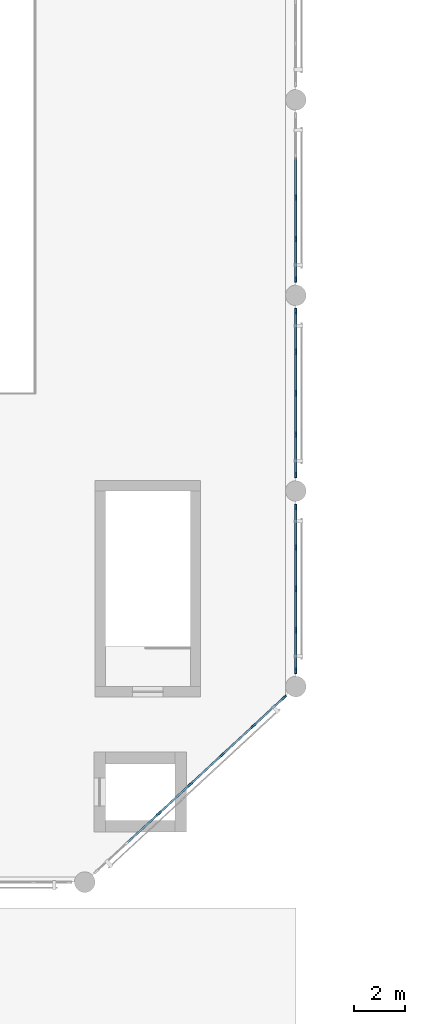
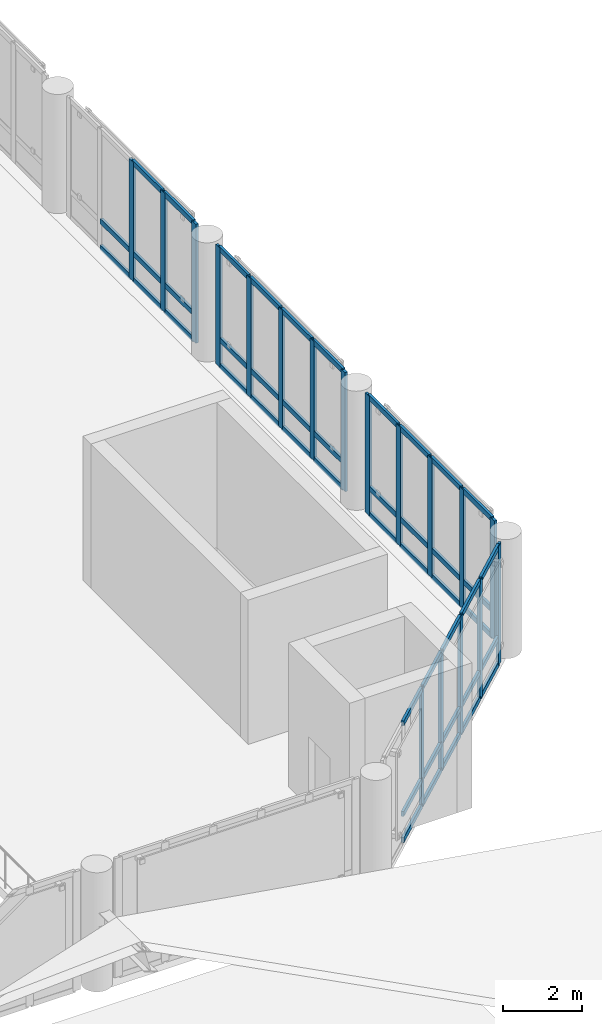
# One storey, part 7 of 49: 65 members, 4 elements without a shape of their own.
"""IFC4 building model written with IfcOpenShell, lengths in metres."""

from ifc_helpers import new_model, si_unit, direction, frame, origin, origin_2d, place, context, subcontext, project, spatial, rectangle, extrude, material, material_profile, profile_set, type_object, element, aggregate, save


model = new_model("IFC4")

# Units and contexts
model_context = context("Model", 3, precision=1e-05, world=origin(), true_north=direction((0.0, 1.0)))
body_context = subcontext(model_context, "Body", "Model", "MODEL_VIEW")
ifc_project = project(units=[si_unit("LENGTHUNIT", "METRE"), si_unit("AREAUNIT", "SQUARE_METRE"), si_unit("VOLUMEUNIT", "CUBIC_METRE"), si_unit("PLANEANGLEUNIT", "RADIAN"), si_unit("MASSUNIT", "GRAM", prefix="KILO")], contexts=[model_context])

# Site, building, storey
site_placement = place(None, origin())
site = spatial("IfcSite", under=ifc_project, at=site_placement, CompositionType="ELEMENT")
building_placement = place(site_placement, origin())
building = spatial("IfcBuilding", under=site, at=building_placement, Name="Qandaris Square Conservatory and Botanical Centre", CompositionType="ELEMENT")
storey_placement = place(building_placement, frame((0.0, 0.0, 10.199951171875)))
storey = spatial("IfcBuildingStorey", under=building, at=storey_placement, Name="L02", CompositionType="ELEMENT", Elevation=10.199951171875)

# Curtain wall, members
ifc_material = material(Name="Anodised Aluminium", Category="aluminium")
curtain_wall_type_1 = type_object("IfcCurtainWallType", Name="Unitised Curtain Wall CW-2-1002x370", PredefinedType="USERDEFINED", material=ifc_material)
curtain_wall_1_placement = place(storey_placement, origin())
curtain_wall_1 = element("IfcCurtainWall", 1, at=curtain_wall_1_placement, inside=storey, type_object=curtain_wall_type_1, Name="Curtain Wall CW-CON-L02-2-1", ObjectType="GLAZED CURTAIN WALL", PredefinedType="USERDEFINED")
ifc_material_profile_1 = material_profile(ifc_material, rectangle(XDim=0.074951171875, YDim=0.219970703125, at=origin_2d()), Name="ALU-MUL 75x220")
ifc_profile_set_1 = profile_set([ifc_material_profile_1], Name="Anodised Aluminium")
member_type_1 = type_object("IfcMemberType", Name="Conservatory Heavy Mullion 75x220", PredefinedType="MULLION", material=ifc_profile_set_1)
member_1_placement = place(storey_placement, frame((51.875244140625, 49.664794921875, 0.0), z_axis=(0.0, 0.0, 1.0), x_axis=(-0.679761784592, 0.733432966404, 0.0)))
member_1 = element("IfcMember", 2, at=member_1_placement, type_object=member_type_1, Name="CW-2-1002x370 mullion 3", PredefinedType="MULLION", context=body_context, shape_type="SweptSolid", body=[
    extrude(rectangle(XDim=0.074951171875, YDim=0.219970703125, at=origin_2d()), origin(), (0.0, 0.0, 1.0), 3.699951171875),
])
member_2_placement = place(storey_placement, frame((53.10009765625, 50.800048828125, 0.0), z_axis=(0.0, 0.0, 1.0), x_axis=(-0.679761784592, 0.733432966404, 0.0)))
member_2 = element("IfcMember", 3, at=member_2_placement, type_object=member_type_1, Name="CW-2-1002x370 mullion 4", PredefinedType="MULLION", context=body_context, shape_type="SweptSolid", body=[
    extrude(rectangle(XDim=0.074951171875, YDim=0.219970703125, at=origin_2d()), origin(), (0.0, 0.0, 1.0), 3.699951171875),
])
member_3_placement = place(storey_placement, frame((54.324951171875, 51.935302734375, 0.0), z_axis=(0.0, 0.0, 1.0), x_axis=(-0.679761784592, 0.733432966404, 0.0)))
member_3 = element("IfcMember", 4, at=member_3_placement, type_object=member_type_1, Name="CW-2-1002x370 mullion 5", PredefinedType="MULLION", context=body_context, shape_type="SweptSolid", body=[
    extrude(rectangle(XDim=0.074951171875, YDim=0.219970703125, at=origin_2d()), origin(), (0.0, 0.0, 1.0), 3.699951171875),
])
member_4_placement = place(storey_placement, frame((55.5498046875, 53.070556640625, 0.0), z_axis=(0.0, 0.0, 1.0), x_axis=(-0.679761784592, 0.733432966404, 0.0)))
member_4 = element("IfcMember", 5, at=member_4_placement, type_object=member_type_1, Name="CW-2-1002x370 mullion 6", PredefinedType="MULLION", context=body_context, shape_type="SweptSolid", body=[
    extrude(rectangle(XDim=0.074951171875, YDim=0.219970703125, at=origin_2d()), origin(), (0.0, 0.0, 1.0), 3.699951171875),
])
member_5_placement = place(storey_placement, frame((56.7470703125, 54.18017578125, 0.0), z_axis=(0.0, 0.0, 1.0), x_axis=(-0.679761784592, 0.733432966404, 0.0)))
member_5 = element("IfcMember", 6, at=member_5_placement, type_object=member_type_1, Name="CW-2-1002x370 mullion 7", PredefinedType="MULLION", context=body_context, shape_type="SweptSolid", body=[
    extrude(rectangle(XDim=0.074951171875, YDim=0.219970703125, at=origin_2d()), origin(), (0.0, 0.0, 1.0), 3.699951171875),
])

curtain_wall_type_2 = type_object("IfcCurtainWallType", Name="Unitised Curtain Wall CW-2-644x370", PredefinedType="USERDEFINED", material=ifc_material)
curtain_wall_2_placement = place(storey_placement, origin())
curtain_wall_2 = element("IfcCurtainWall", 7, at=curtain_wall_2_placement, inside=storey, type_object=curtain_wall_type_2, Name="Curtain Wall CW-CON-L02-3-1", ObjectType="GLAZED CURTAIN WALL", PredefinedType="USERDEFINED")
member_6_placement = place(storey_placement, frame((57.199951171875, 55.217529296875, 0.0), z_axis=(0.0, 0.0, 1.0), x_axis=(-1.0, 0.0, 0.0)))
member_6 = element("IfcMember", 8, at=member_6_placement, type_object=member_type_1, Name="CW-2-644x370 mullion 1", PredefinedType="MULLION", context=body_context, shape_type="SweptSolid", body=[
    extrude(rectangle(XDim=0.074951171875, YDim=0.219970703125, at=origin_2d()), origin(), (0.0, 0.0, 1.0), 3.699951171875),
])
member_7_placement = place(storey_placement, frame((57.199951171875, 56.7900390625, 0.0), z_axis=(0.0, 0.0, 1.0), x_axis=(-1.0, 0.0, 0.0)))
member_7 = element("IfcMember", 9, at=member_7_placement, type_object=member_type_1, Name="CW-2-644x370 mullion 2", PredefinedType="MULLION", context=body_context, shape_type="SweptSolid", body=[
    extrude(rectangle(XDim=0.074951171875, YDim=0.219970703125, at=origin_2d()), origin(), (0.0, 0.0, 1.0), 3.699951171875),
])
member_8_placement = place(storey_placement, frame((57.199951171875, 58.39990234375, 0.0), z_axis=(0.0, 0.0, 1.0), x_axis=(-1.0, 0.0, 0.0)))
member_8 = element("IfcMember", 10, at=member_8_placement, type_object=member_type_1, Name="CW-2-644x370 mullion 3", PredefinedType="MULLION", context=body_context, shape_type="SweptSolid", body=[
    extrude(rectangle(XDim=0.074951171875, YDim=0.219970703125, at=origin_2d()), origin(), (0.0, 0.0, 1.0), 3.699951171875),
])
member_9_placement = place(storey_placement, frame((57.199951171875, 60.010009765625, 0.0), z_axis=(0.0, 0.0, 1.0), x_axis=(-1.0, 0.0, 0.0)))
member_9 = element("IfcMember", 11, at=member_9_placement, type_object=member_type_1, Name="CW-2-644x370 mullion 4", PredefinedType="MULLION", context=body_context, shape_type="SweptSolid", body=[
    extrude(rectangle(XDim=0.074951171875, YDim=0.219970703125, at=origin_2d()), origin(), (0.0, 0.0, 1.0), 3.699951171875),
])
member_10_placement = place(storey_placement, frame((57.199951171875, 61.58251953125, 0.0), z_axis=(0.0, 0.0, 1.0), x_axis=(-1.0, 0.0, 0.0)))
member_10 = element("IfcMember", 12, at=member_10_placement, type_object=member_type_1, Name="CW-2-644x370 mullion 5", PredefinedType="MULLION", context=body_context, shape_type="SweptSolid", body=[
    extrude(rectangle(XDim=0.074951171875, YDim=0.219970703125, at=origin_2d()), origin(), (0.0, 0.0, 1.0), 3.699951171875),
])

curtain_wall_3_placement = place(storey_placement, origin())
curtain_wall_3 = element("IfcCurtainWall", 13, at=curtain_wall_3_placement, inside=storey, type_object=curtain_wall_type_2, Name="Curtain Wall CW-CON-L02-3-2", ObjectType="GLAZED CURTAIN WALL", PredefinedType="USERDEFINED")
member_11_placement = place(storey_placement, frame((57.199951171875, 62.8173828125, 0.0), z_axis=(0.0, 0.0, 1.0), x_axis=(-1.0, 0.0, 0.0)))
member_11 = element("IfcMember", 14, at=member_11_placement, type_object=member_type_1, Name="CW-2-644x370 mullion 1", PredefinedType="MULLION", context=body_context, shape_type="SweptSolid", body=[
    extrude(rectangle(XDim=0.074951171875, YDim=0.219970703125, at=origin_2d()), origin(), (0.0, 0.0, 1.0), 3.699951171875),
])
member_12_placement = place(storey_placement, frame((57.199951171875, 64.389892578125, 0.0), z_axis=(0.0, 0.0, 1.0), x_axis=(-1.0, 0.0, 0.0)))
member_12 = element("IfcMember", 15, at=member_12_placement, type_object=member_type_1, Name="CW-2-644x370 mullion 2", PredefinedType="MULLION", context=body_context, shape_type="SweptSolid", body=[
    extrude(rectangle(XDim=0.074951171875, YDim=0.219970703125, at=origin_2d()), origin(), (0.0, 0.0, 1.0), 3.699951171875),
])
member_13_placement = place(storey_placement, frame((57.199951171875, 66.0, 0.0), z_axis=(0.0, 0.0, 1.0), x_axis=(-1.0, 0.0, 0.0)))
member_13 = element("IfcMember", 16, at=member_13_placement, type_object=member_type_1, Name="CW-2-644x370 mullion 3", PredefinedType="MULLION", context=body_context, shape_type="SweptSolid", body=[
    extrude(rectangle(XDim=0.074951171875, YDim=0.219970703125, at=origin_2d()), origin(), (0.0, 0.0, 1.0), 3.699951171875),
])
member_14_placement = place(storey_placement, frame((57.199951171875, 67.610107421875, 0.0), z_axis=(0.0, 0.0, 1.0), x_axis=(-1.0, 0.0, 0.0)))
member_14 = element("IfcMember", 17, at=member_14_placement, type_object=member_type_1, Name="CW-2-644x370 mullion 4", PredefinedType="MULLION", context=body_context, shape_type="SweptSolid", body=[
    extrude(rectangle(XDim=0.074951171875, YDim=0.219970703125, at=origin_2d()), origin(), (0.0, 0.0, 1.0), 3.699951171875),
])
member_15_placement = place(storey_placement, frame((57.199951171875, 69.1826171875, 0.0), z_axis=(0.0, 0.0, 1.0), x_axis=(-1.0, 0.0, 0.0)))
member_15 = element("IfcMember", 18, at=member_15_placement, type_object=member_type_1, Name="CW-2-644x370 mullion 5", PredefinedType="MULLION", context=body_context, shape_type="SweptSolid", body=[
    extrude(rectangle(XDim=0.074951171875, YDim=0.219970703125, at=origin_2d()), origin(), (0.0, 0.0, 1.0), 3.699951171875),
])

curtain_wall_4_placement = place(storey_placement, origin())
curtain_wall_4 = element("IfcCurtainWall", 19, at=curtain_wall_4_placement, inside=storey, type_object=curtain_wall_type_2, Name="Curtain Wall CW-CON-L02-3-3", ObjectType="GLAZED CURTAIN WALL", PredefinedType="USERDEFINED")
member_16_placement = place(storey_placement, frame((57.199951171875, 70.41748046875, 0.0), z_axis=(0.0, 0.0, 1.0), x_axis=(-1.0, 0.0, 0.0)))
member_16 = element("IfcMember", 20, at=member_16_placement, type_object=member_type_1, Name="CW-2-644x370 mullion 1", PredefinedType="MULLION", context=body_context, shape_type="SweptSolid", body=[
    extrude(rectangle(XDim=0.074951171875, YDim=0.219970703125, at=origin_2d()), origin(), (0.0, 0.0, 1.0), 3.699951171875),
])
member_17_placement = place(storey_placement, frame((57.199951171875, 71.989990234375, 0.0), z_axis=(0.0, 0.0, 1.0), x_axis=(-1.0, 0.0, 0.0)))
member_17 = element("IfcMember", 21, at=member_17_placement, type_object=member_type_1, Name="CW-2-644x370 mullion 2", PredefinedType="MULLION", context=body_context, shape_type="SweptSolid", body=[
    extrude(rectangle(XDim=0.074951171875, YDim=0.219970703125, at=origin_2d()), origin(), (0.0, 0.0, 1.0), 3.699951171875),
])
member_18_placement = place(storey_placement, frame((57.199951171875, 73.60009765625, 0.0), z_axis=(0.0, 0.0, 1.0), x_axis=(-1.0, 0.0, 0.0)))
member_18 = element("IfcMember", 22, at=member_18_placement, type_object=member_type_1, Name="CW-2-644x370 mullion 3", PredefinedType="MULLION", context=body_context, shape_type="SweptSolid", body=[
    extrude(rectangle(XDim=0.074951171875, YDim=0.219970703125, at=origin_2d()), origin(), (0.0, 0.0, 1.0), 3.699951171875),
])

# Member
ifc_material_profile_2 = material_profile(ifc_material, rectangle(XDim=0.074951171875, YDim=0.159912109375, at=origin_2d()), Name="ALU-TRN 75x160")
ifc_profile_set_2 = profile_set([ifc_material_profile_2], Name="Anodised Aluminium")
member_type_2 = type_object("IfcMemberType", Name="Conservatory Heavy Transom 75x160", PredefinedType="USERDEFINED", material=ifc_profile_set_2)
member_19_placement = place(storey_placement, frame((50.677734375, 48.554931640625, 0.03759765625), z_axis=(0.733458213943, 0.679734542597, 0.0), x_axis=(-0.679734542597, 0.733458213943, 0.0)))
member_19 = element("IfcMember", 23, at=member_19_placement, type_object=member_type_2, Name="CW-2-1002x370 transom 2.1", ObjectType="TRANSOM", PredefinedType="USERDEFINED", context=body_context, shape_type="SweptSolid", body=[
    extrude(rectangle(XDim=0.074951171875, YDim=0.159912109375, at=origin_2d()), origin(), (0.0, 0.0, 1.0), 1.594970703125),
])

member_20_placement = place(storey_placement, frame((50.677734375, 48.554931640625, 0.85009765625), z_axis=(0.733458213943, 0.679734542597, 0.0), x_axis=(-0.679734542597, 0.733458213943, 0.0)))
member_20 = element("IfcMember", 24, at=member_20_placement, type_object=member_type_2, Name="CW-2-1002x370 transom 2.2", ObjectType="TRANSOM", PredefinedType="USERDEFINED", context=body_context, shape_type="SweptSolid", body=[
    extrude(rectangle(XDim=0.074951171875, YDim=0.159912109375, at=origin_2d()), origin(), (0.0, 0.0, 1.0), 1.594970703125),
])

member_21_placement = place(storey_placement, frame((50.677734375, 48.554931640625, 3.66259765625), z_axis=(0.733458213943, 0.679734542597, 0.0), x_axis=(-0.679734542597, 0.733458213943, 0.0)))
member_21 = element("IfcMember", 25, at=member_21_placement, type_object=member_type_2, Name="CW-2-1002x370 transom 2.3", ObjectType="TRANSOM", PredefinedType="USERDEFINED", context=body_context, shape_type="SweptSolid", body=[
    extrude(rectangle(XDim=0.074951171875, YDim=0.159912109375, at=origin_2d()), origin(), (0.0, 0.0, 1.0), 1.594970703125),
])

member_22_placement = place(storey_placement, frame((51.902587890625, 49.690185546875, 0.03759765625), z_axis=(0.733458213943, 0.679734542597, 0.0), x_axis=(-0.679734542597, 0.733458213943, 0.0)))
member_22 = element("IfcMember", 26, at=member_22_placement, type_object=member_type_2, Name="CW-2-1002x370 transom 3.1", ObjectType="TRANSOM", PredefinedType="USERDEFINED", context=body_context, shape_type="SweptSolid", body=[
    extrude(rectangle(XDim=0.074951171875, YDim=0.159912109375, at=origin_2d()), origin(), (0.0, 0.0, 1.0), 1.594970703125),
])

member_23_placement = place(storey_placement, frame((51.902587890625, 49.690185546875, 0.85009765625), z_axis=(0.733458213943, 0.679734542597, 0.0), x_axis=(-0.679734542597, 0.733458213943, 0.0)))
member_23 = element("IfcMember", 27, at=member_23_placement, type_object=member_type_2, Name="CW-2-1002x370 transom 3.2", ObjectType="TRANSOM", PredefinedType="USERDEFINED", context=body_context, shape_type="SweptSolid", body=[
    extrude(rectangle(XDim=0.074951171875, YDim=0.159912109375, at=origin_2d()), origin(), (0.0, 0.0, 1.0), 1.594970703125),
])

member_24_placement = place(storey_placement, frame((51.902587890625, 49.690185546875, 3.66259765625), z_axis=(0.733458213943, 0.679734542597, 0.0), x_axis=(-0.679734542597, 0.733458213943, 0.0)))
member_24 = element("IfcMember", 28, at=member_24_placement, type_object=member_type_2, Name="CW-2-1002x370 transom 3.3", ObjectType="TRANSOM", PredefinedType="USERDEFINED", context=body_context, shape_type="SweptSolid", body=[
    extrude(rectangle(XDim=0.074951171875, YDim=0.159912109375, at=origin_2d()), origin(), (0.0, 0.0, 1.0), 1.594970703125),
])

member_25_placement = place(storey_placement, frame((53.12744140625, 50.825439453125, 0.03759765625), z_axis=(0.733458213943, 0.679734542597, 0.0), x_axis=(-0.679734542597, 0.733458213943, 0.0)))
member_25 = element("IfcMember", 29, at=member_25_placement, type_object=member_type_2, Name="CW-2-1002x370 transom 4.1", ObjectType="TRANSOM", PredefinedType="USERDEFINED", context=body_context, shape_type="SweptSolid", body=[
    extrude(rectangle(XDim=0.074951171875, YDim=0.159912109375, at=origin_2d()), origin(), (0.0, 0.0, 1.0), 1.594970703125),
])

member_26_placement = place(storey_placement, frame((53.12744140625, 50.825439453125, 0.85009765625), z_axis=(0.733458213943, 0.679734542597, 0.0), x_axis=(-0.679734542597, 0.733458213943, 0.0)))
member_26 = element("IfcMember", 30, at=member_26_placement, type_object=member_type_2, Name="CW-2-1002x370 transom 4.2", ObjectType="TRANSOM", PredefinedType="USERDEFINED", context=body_context, shape_type="SweptSolid", body=[
    extrude(rectangle(XDim=0.074951171875, YDim=0.159912109375, at=origin_2d()), origin(), (0.0, 0.0, 1.0), 1.594970703125),
])

member_27_placement = place(storey_placement, frame((53.12744140625, 50.825439453125, 3.66259765625), z_axis=(0.733458213943, 0.679734542597, 0.0), x_axis=(-0.679734542597, 0.733458213943, 0.0)))
member_27 = element("IfcMember", 31, at=member_27_placement, type_object=member_type_2, Name="CW-2-1002x370 transom 4.3", ObjectType="TRANSOM", PredefinedType="USERDEFINED", context=body_context, shape_type="SweptSolid", body=[
    extrude(rectangle(XDim=0.074951171875, YDim=0.159912109375, at=origin_2d()), origin(), (0.0, 0.0, 1.0), 1.594970703125),
])

member_28_placement = place(storey_placement, frame((54.352294921875, 51.960693359375, 0.03759765625), z_axis=(0.733458213943, 0.679734542597, 0.0), x_axis=(-0.679734542597, 0.733458213943, 0.0)))
member_28 = element("IfcMember", 32, at=member_28_placement, type_object=member_type_2, Name="CW-2-1002x370 transom 5.1", ObjectType="TRANSOM", PredefinedType="USERDEFINED", context=body_context, shape_type="SweptSolid", body=[
    extrude(rectangle(XDim=0.074951171875, YDim=0.159912109375, at=origin_2d()), origin(), (0.0, 0.0, 1.0), 1.594970703125),
])

member_29_placement = place(storey_placement, frame((54.352294921875, 51.960693359375, 0.85009765625), z_axis=(0.733458213943, 0.679734542597, 0.0), x_axis=(-0.679734542597, 0.733458213943, 0.0)))
member_29 = element("IfcMember", 33, at=member_29_placement, type_object=member_type_2, Name="CW-2-1002x370 transom 5.2", ObjectType="TRANSOM", PredefinedType="USERDEFINED", context=body_context, shape_type="SweptSolid", body=[
    extrude(rectangle(XDim=0.074951171875, YDim=0.159912109375, at=origin_2d()), origin(), (0.0, 0.0, 1.0), 1.594970703125),
])

member_30_placement = place(storey_placement, frame((54.352294921875, 51.960693359375, 3.66259765625), z_axis=(0.733458213943, 0.679734542597, 0.0), x_axis=(-0.679734542597, 0.733458213943, 0.0)))
member_30 = element("IfcMember", 34, at=member_30_placement, type_object=member_type_2, Name="CW-2-1002x370 transom 5.3", ObjectType="TRANSOM", PredefinedType="USERDEFINED", context=body_context, shape_type="SweptSolid", body=[
    extrude(rectangle(XDim=0.074951171875, YDim=0.159912109375, at=origin_2d()), origin(), (0.0, 0.0, 1.0), 1.594970703125),
])

member_31_placement = place(storey_placement, frame((55.5771484375, 53.095947265625, 0.03759765625), z_axis=(0.733401706001, 0.679795511632, 0.0), x_axis=(-0.679795511632, 0.733401706001, 0.0)))
member_31 = element("IfcMember", 35, at=member_31_placement, type_object=member_type_2, Name="CW-2-1002x370 transom 6.1", ObjectType="TRANSOM", PredefinedType="USERDEFINED", context=body_context, shape_type="SweptSolid", body=[
    extrude(rectangle(XDim=0.074951171875, YDim=0.159912109375, at=origin_2d()), origin(), (0.0, 0.0, 1.0), 1.5576171875),
])

member_32_placement = place(storey_placement, frame((55.5771484375, 53.095947265625, 0.85009765625), z_axis=(0.733401706001, 0.679795511632, 0.0), x_axis=(-0.679795511632, 0.733401706001, 0.0)))
member_32 = element("IfcMember", 36, at=member_32_placement, type_object=member_type_2, Name="CW-2-1002x370 transom 6.2", ObjectType="TRANSOM", PredefinedType="USERDEFINED", context=body_context, shape_type="SweptSolid", body=[
    extrude(rectangle(XDim=0.074951171875, YDim=0.159912109375, at=origin_2d()), origin(), (0.0, 0.0, 1.0), 1.5576171875),
])

member_33_placement = place(storey_placement, frame((55.5771484375, 53.095947265625, 3.66259765625), z_axis=(0.733401706001, 0.679795511632, 0.0), x_axis=(-0.679795511632, 0.733401706001, 0.0)))
member_33 = element("IfcMember", 37, at=member_33_placement, type_object=member_type_2, Name="CW-2-1002x370 transom 6.3", ObjectType="TRANSOM", PredefinedType="USERDEFINED", context=body_context, shape_type="SweptSolid", body=[
    extrude(rectangle(XDim=0.074951171875, YDim=0.159912109375, at=origin_2d()), origin(), (0.0, 0.0, 1.0), 1.5576171875),
])

aggregate(curtain_wall_1, [member_1, member_2, member_3, member_4, member_5, member_19, member_20, member_21, member_22, member_23, member_24, member_25, member_26, member_27, member_28, member_29, member_30, member_31, member_32, member_33])

member_34_placement = place(storey_placement, frame((57.199951171875, 55.2548828125, 0.03759765625), z_axis=(0.0, 1.0, 0.0), x_axis=(-1.0, 0.0, 0.0)))
member_34 = element("IfcMember", 38, at=member_34_placement, type_object=member_type_2, Name="CW-2-644x370 transom 1.1", ObjectType="TRANSOM", PredefinedType="USERDEFINED", context=body_context, shape_type="SweptSolid", body=[
    extrude(rectangle(XDim=0.074951171875, YDim=0.159912109375, at=origin_2d()), origin(), (0.0, 0.0, 1.0), 1.49755859375),
])

member_35_placement = place(storey_placement, frame((57.199951171875, 55.2548828125, 0.85009765625), z_axis=(0.0, 1.0, 0.0), x_axis=(-1.0, 0.0, 0.0)))
member_35 = element("IfcMember", 39, at=member_35_placement, type_object=member_type_2, Name="CW-2-644x370 transom 1.2", ObjectType="TRANSOM", PredefinedType="USERDEFINED", context=body_context, shape_type="SweptSolid", body=[
    extrude(rectangle(XDim=0.074951171875, YDim=0.159912109375, at=origin_2d()), origin(), (0.0, 0.0, 1.0), 1.49755859375),
])

member_36_placement = place(storey_placement, frame((57.199951171875, 55.2548828125, 3.66259765625), z_axis=(0.0, 1.0, 0.0), x_axis=(-1.0, 0.0, 0.0)))
member_36 = element("IfcMember", 40, at=member_36_placement, type_object=member_type_2, Name="CW-2-644x370 transom 1.3", ObjectType="TRANSOM", PredefinedType="USERDEFINED", context=body_context, shape_type="SweptSolid", body=[
    extrude(rectangle(XDim=0.074951171875, YDim=0.159912109375, at=origin_2d()), origin(), (0.0, 0.0, 1.0), 1.49755859375),
])

member_37_placement = place(storey_placement, frame((57.199951171875, 56.827392578125, 0.03759765625), z_axis=(0.0, 1.0, 0.0), x_axis=(-1.0, 0.0, 0.0)))
member_37 = element("IfcMember", 41, at=member_37_placement, type_object=member_type_2, Name="CW-2-644x370 transom 2.1", ObjectType="TRANSOM", PredefinedType="USERDEFINED", context=body_context, shape_type="SweptSolid", body=[
    extrude(rectangle(XDim=0.074951171875, YDim=0.159912109375, at=origin_2d()), origin(), (0.0, 0.0, 1.0), 1.53515625),
])

member_38_placement = place(storey_placement, frame((57.199951171875, 56.827392578125, 0.85009765625), z_axis=(0.0, 1.0, 0.0), x_axis=(-1.0, 0.0, 0.0)))
member_38 = element("IfcMember", 42, at=member_38_placement, type_object=member_type_2, Name="CW-2-644x370 transom 2.2", ObjectType="TRANSOM", PredefinedType="USERDEFINED", context=body_context, shape_type="SweptSolid", body=[
    extrude(rectangle(XDim=0.074951171875, YDim=0.159912109375, at=origin_2d()), origin(), (0.0, 0.0, 1.0), 1.53515625),
])

member_39_placement = place(storey_placement, frame((57.199951171875, 56.827392578125, 3.66259765625), z_axis=(0.0, 1.0, 0.0), x_axis=(-1.0, 0.0, 0.0)))
member_39 = element("IfcMember", 43, at=member_39_placement, type_object=member_type_2, Name="CW-2-644x370 transom 2.3", ObjectType="TRANSOM", PredefinedType="USERDEFINED", context=body_context, shape_type="SweptSolid", body=[
    extrude(rectangle(XDim=0.074951171875, YDim=0.159912109375, at=origin_2d()), origin(), (0.0, 0.0, 1.0), 1.53515625),
])

member_40_placement = place(storey_placement, frame((57.199951171875, 58.4375, 0.03759765625), z_axis=(0.0, 1.0, 0.0), x_axis=(-1.0, 0.0, 0.0)))
member_40 = element("IfcMember", 44, at=member_40_placement, type_object=member_type_2, Name="CW-2-644x370 transom 3.1", ObjectType="TRANSOM", PredefinedType="USERDEFINED", context=body_context, shape_type="SweptSolid", body=[
    extrude(rectangle(XDim=0.074951171875, YDim=0.159912109375, at=origin_2d()), origin(), (0.0, 0.0, 1.0), 1.534912109375),
])

member_41_placement = place(storey_placement, frame((57.199951171875, 58.4375, 0.85009765625), z_axis=(0.0, 1.0, 0.0), x_axis=(-1.0, 0.0, 0.0)))
member_41 = element("IfcMember", 45, at=member_41_placement, type_object=member_type_2, Name="CW-2-644x370 transom 3.2", ObjectType="TRANSOM", PredefinedType="USERDEFINED", context=body_context, shape_type="SweptSolid", body=[
    extrude(rectangle(XDim=0.074951171875, YDim=0.159912109375, at=origin_2d()), origin(), (0.0, 0.0, 1.0), 1.534912109375),
])

member_42_placement = place(storey_placement, frame((57.199951171875, 58.4375, 3.66259765625), z_axis=(0.0, 1.0, 0.0), x_axis=(-1.0, 0.0, 0.0)))
member_42 = element("IfcMember", 46, at=member_42_placement, type_object=member_type_2, Name="CW-2-644x370 transom 3.3", ObjectType="TRANSOM", PredefinedType="USERDEFINED", context=body_context, shape_type="SweptSolid", body=[
    extrude(rectangle(XDim=0.074951171875, YDim=0.159912109375, at=origin_2d()), origin(), (0.0, 0.0, 1.0), 1.534912109375),
])

member_43_placement = place(storey_placement, frame((57.199951171875, 60.047607421875, 0.03759765625), z_axis=(0.0, 1.0, 0.0), x_axis=(-1.0, 0.0, 0.0)))
member_43 = element("IfcMember", 47, at=member_43_placement, type_object=member_type_2, Name="CW-2-644x370 transom 4.1", ObjectType="TRANSOM", PredefinedType="USERDEFINED", context=body_context, shape_type="SweptSolid", body=[
    extrude(rectangle(XDim=0.074951171875, YDim=0.159912109375, at=origin_2d()), origin(), (0.0, 0.0, 1.0), 1.497314453125),
])

member_44_placement = place(storey_placement, frame((57.199951171875, 60.047607421875, 0.85009765625), z_axis=(0.0, 1.0, 0.0), x_axis=(-1.0, 0.0, 0.0)))
member_44 = element("IfcMember", 48, at=member_44_placement, type_object=member_type_2, Name="CW-2-644x370 transom 4.2", ObjectType="TRANSOM", PredefinedType="USERDEFINED", context=body_context, shape_type="SweptSolid", body=[
    extrude(rectangle(XDim=0.074951171875, YDim=0.159912109375, at=origin_2d()), origin(), (0.0, 0.0, 1.0), 1.497314453125),
])

member_45_placement = place(storey_placement, frame((57.199951171875, 60.047607421875, 3.66259765625), z_axis=(0.0, 1.0, 0.0), x_axis=(-1.0, 0.0, 0.0)))
member_45 = element("IfcMember", 49, at=member_45_placement, type_object=member_type_2, Name="CW-2-644x370 transom 4.3", ObjectType="TRANSOM", PredefinedType="USERDEFINED", context=body_context, shape_type="SweptSolid", body=[
    extrude(rectangle(XDim=0.074951171875, YDim=0.159912109375, at=origin_2d()), origin(), (0.0, 0.0, 1.0), 1.497314453125),
])

aggregate(curtain_wall_2, [member_6, member_7, member_8, member_9, member_10, member_34, member_35, member_36, member_37, member_38, member_39, member_40, member_41, member_42, member_43, member_44, member_45])

member_46_placement = place(storey_placement, frame((57.199951171875, 62.85498046875, 0.03759765625), z_axis=(0.0, 1.0, 0.0), x_axis=(-1.0, 0.0, 0.0)))
member_46 = element("IfcMember", 50, at=member_46_placement, type_object=member_type_2, Name="CW-2-644x370 transom 1.1", ObjectType="TRANSOM", PredefinedType="USERDEFINED", context=body_context, shape_type="SweptSolid", body=[
    extrude(rectangle(XDim=0.074951171875, YDim=0.159912109375, at=origin_2d()), origin(), (0.0, 0.0, 1.0), 1.49755859375),
])

member_47_placement = place(storey_placement, frame((57.199951171875, 62.85498046875, 0.85009765625), z_axis=(0.0, 1.0, 0.0), x_axis=(-1.0, 0.0, 0.0)))
member_47 = element("IfcMember", 51, at=member_47_placement, type_object=member_type_2, Name="CW-2-644x370 transom 1.2", ObjectType="TRANSOM", PredefinedType="USERDEFINED", context=body_context, shape_type="SweptSolid", body=[
    extrude(rectangle(XDim=0.074951171875, YDim=0.159912109375, at=origin_2d()), origin(), (0.0, 0.0, 1.0), 1.49755859375),
])

member_48_placement = place(storey_placement, frame((57.199951171875, 62.85498046875, 3.66259765625), z_axis=(0.0, 1.0, 0.0), x_axis=(-1.0, 0.0, 0.0)))
member_48 = element("IfcMember", 52, at=member_48_placement, type_object=member_type_2, Name="CW-2-644x370 transom 1.3", ObjectType="TRANSOM", PredefinedType="USERDEFINED", context=body_context, shape_type="SweptSolid", body=[
    extrude(rectangle(XDim=0.074951171875, YDim=0.159912109375, at=origin_2d()), origin(), (0.0, 0.0, 1.0), 1.49755859375),
])

member_49_placement = place(storey_placement, frame((57.199951171875, 64.427490234375, 0.03759765625), z_axis=(0.0, 1.0, 0.0), x_axis=(-1.0, 0.0, 0.0)))
member_49 = element("IfcMember", 53, at=member_49_placement, type_object=member_type_2, Name="CW-2-644x370 transom 2.1", ObjectType="TRANSOM", PredefinedType="USERDEFINED", context=body_context, shape_type="SweptSolid", body=[
    extrude(rectangle(XDim=0.074951171875, YDim=0.159912109375, at=origin_2d()), origin(), (0.0, 0.0, 1.0), 1.534912109375),
])

member_50_placement = place(storey_placement, frame((57.199951171875, 64.427490234375, 0.85009765625), z_axis=(0.0, 1.0, 0.0), x_axis=(-1.0, 0.0, 0.0)))
member_50 = element("IfcMember", 54, at=member_50_placement, type_object=member_type_2, Name="CW-2-644x370 transom 2.2", ObjectType="TRANSOM", PredefinedType="USERDEFINED", context=body_context, shape_type="SweptSolid", body=[
    extrude(rectangle(XDim=0.074951171875, YDim=0.159912109375, at=origin_2d()), origin(), (0.0, 0.0, 1.0), 1.534912109375),
])

member_51_placement = place(storey_placement, frame((57.199951171875, 64.427490234375, 3.66259765625), z_axis=(0.0, 1.0, 0.0), x_axis=(-1.0, 0.0, 0.0)))
member_51 = element("IfcMember", 55, at=member_51_placement, type_object=member_type_2, Name="CW-2-644x370 transom 2.3", ObjectType="TRANSOM", PredefinedType="USERDEFINED", context=body_context, shape_type="SweptSolid", body=[
    extrude(rectangle(XDim=0.074951171875, YDim=0.159912109375, at=origin_2d()), origin(), (0.0, 0.0, 1.0), 1.534912109375),
])

member_52_placement = place(storey_placement, frame((57.199951171875, 66.03759765625, 0.03759765625), z_axis=(0.0, 1.0, 0.0), x_axis=(-1.0, 0.0, 0.0)))
member_52 = element("IfcMember", 56, at=member_52_placement, type_object=member_type_2, Name="CW-2-644x370 transom 3.1", ObjectType="TRANSOM", PredefinedType="USERDEFINED", context=body_context, shape_type="SweptSolid", body=[
    extrude(rectangle(XDim=0.074951171875, YDim=0.159912109375, at=origin_2d()), origin(), (0.0, 0.0, 1.0), 1.534912109375),
])

member_53_placement = place(storey_placement, frame((57.199951171875, 66.03759765625, 0.85009765625), z_axis=(0.0, 1.0, 0.0), x_axis=(-1.0, 0.0, 0.0)))
member_53 = element("IfcMember", 57, at=member_53_placement, type_object=member_type_2, Name="CW-2-644x370 transom 3.2", ObjectType="TRANSOM", PredefinedType="USERDEFINED", context=body_context, shape_type="SweptSolid", body=[
    extrude(rectangle(XDim=0.074951171875, YDim=0.159912109375, at=origin_2d()), origin(), (0.0, 0.0, 1.0), 1.534912109375),
])

member_54_placement = place(storey_placement, frame((57.199951171875, 66.03759765625, 3.66259765625), z_axis=(0.0, 1.0, 0.0), x_axis=(-1.0, 0.0, 0.0)))
member_54 = element("IfcMember", 58, at=member_54_placement, type_object=member_type_2, Name="CW-2-644x370 transom 3.3", ObjectType="TRANSOM", PredefinedType="USERDEFINED", context=body_context, shape_type="SweptSolid", body=[
    extrude(rectangle(XDim=0.074951171875, YDim=0.159912109375, at=origin_2d()), origin(), (0.0, 0.0, 1.0), 1.534912109375),
])

member_55_placement = place(storey_placement, frame((57.199951171875, 67.6474609375, 0.03759765625), z_axis=(0.0, 1.0, 0.0), x_axis=(-1.0, 0.0, 0.0)))
member_55 = element("IfcMember", 59, at=member_55_placement, type_object=member_type_2, Name="CW-2-644x370 transom 4.1", ObjectType="TRANSOM", PredefinedType="USERDEFINED", context=body_context, shape_type="SweptSolid", body=[
    extrude(rectangle(XDim=0.074951171875, YDim=0.159912109375, at=origin_2d()), origin(), (0.0, 0.0, 1.0), 1.49755859375),
])

member_56_placement = place(storey_placement, frame((57.199951171875, 67.6474609375, 0.85009765625), z_axis=(0.0, 1.0, 0.0), x_axis=(-1.0, 0.0, 0.0)))
member_56 = element("IfcMember", 60, at=member_56_placement, type_object=member_type_2, Name="CW-2-644x370 transom 4.2", ObjectType="TRANSOM", PredefinedType="USERDEFINED", context=body_context, shape_type="SweptSolid", body=[
    extrude(rectangle(XDim=0.074951171875, YDim=0.159912109375, at=origin_2d()), origin(), (0.0, 0.0, 1.0), 1.49755859375),
])

member_57_placement = place(storey_placement, frame((57.199951171875, 67.6474609375, 3.66259765625), z_axis=(0.0, 1.0, 0.0), x_axis=(-1.0, 0.0, 0.0)))
member_57 = element("IfcMember", 61, at=member_57_placement, type_object=member_type_2, Name="CW-2-644x370 transom 4.3", ObjectType="TRANSOM", PredefinedType="USERDEFINED", context=body_context, shape_type="SweptSolid", body=[
    extrude(rectangle(XDim=0.074951171875, YDim=0.159912109375, at=origin_2d()), origin(), (0.0, 0.0, 1.0), 1.49755859375),
])

aggregate(curtain_wall_3, [member_11, member_12, member_13, member_14, member_15, member_46, member_47, member_48, member_49, member_50, member_51, member_52, member_53, member_54, member_55, member_56, member_57])

member_58_placement = place(storey_placement, frame((57.199951171875, 70.455078125, 0.03759765625), z_axis=(0.0, 1.0, 0.0), x_axis=(-1.0, 0.0, 0.0)))
member_58 = element("IfcMember", 62, at=member_58_placement, type_object=member_type_2, Name="CW-2-644x370 transom 1.1", ObjectType="TRANSOM", PredefinedType="USERDEFINED", context=body_context, shape_type="SweptSolid", body=[
    extrude(rectangle(XDim=0.074951171875, YDim=0.159912109375, at=origin_2d()), origin(), (0.0, 0.0, 1.0), 1.497314453125),
])

member_59_placement = place(storey_placement, frame((57.199951171875, 70.455078125, 0.85009765625), z_axis=(0.0, 1.0, 0.0), x_axis=(-1.0, 0.0, 0.0)))
member_59 = element("IfcMember", 63, at=member_59_placement, type_object=member_type_2, Name="CW-2-644x370 transom 1.2", ObjectType="TRANSOM", PredefinedType="USERDEFINED", context=body_context, shape_type="SweptSolid", body=[
    extrude(rectangle(XDim=0.074951171875, YDim=0.159912109375, at=origin_2d()), origin(), (0.0, 0.0, 1.0), 1.497314453125),
])

member_60_placement = place(storey_placement, frame((57.199951171875, 70.455078125, 3.66259765625), z_axis=(0.0, 1.0, 0.0), x_axis=(-1.0, 0.0, 0.0)))
member_60 = element("IfcMember", 64, at=member_60_placement, type_object=member_type_2, Name="CW-2-644x370 transom 1.3", ObjectType="TRANSOM", PredefinedType="USERDEFINED", context=body_context, shape_type="SweptSolid", body=[
    extrude(rectangle(XDim=0.074951171875, YDim=0.159912109375, at=origin_2d()), origin(), (0.0, 0.0, 1.0), 1.497314453125),
])

member_61_placement = place(storey_placement, frame((57.199951171875, 72.027587890625, 0.03759765625), z_axis=(0.0, 1.0, 0.0), x_axis=(-1.0, 0.0, 0.0)))
member_61 = element("IfcMember", 65, at=member_61_placement, type_object=member_type_2, Name="CW-2-644x370 transom 2.1", ObjectType="TRANSOM", PredefinedType="USERDEFINED", context=body_context, shape_type="SweptSolid", body=[
    extrude(rectangle(XDim=0.074951171875, YDim=0.159912109375, at=origin_2d()), origin(), (0.0, 0.0, 1.0), 1.534912109375),
])

member_62_placement = place(storey_placement, frame((57.199951171875, 72.027587890625, 0.85009765625), z_axis=(0.0, 1.0, 0.0), x_axis=(-1.0, 0.0, 0.0)))
member_62 = element("IfcMember", 66, at=member_62_placement, type_object=member_type_2, Name="CW-2-644x370 transom 2.2", ObjectType="TRANSOM", PredefinedType="USERDEFINED", context=body_context, shape_type="SweptSolid", body=[
    extrude(rectangle(XDim=0.074951171875, YDim=0.159912109375, at=origin_2d()), origin(), (0.0, 0.0, 1.0), 1.534912109375),
])

member_63_placement = place(storey_placement, frame((57.199951171875, 72.027587890625, 3.66259765625), z_axis=(0.0, 1.0, 0.0), x_axis=(-1.0, 0.0, 0.0)))
member_63 = element("IfcMember", 67, at=member_63_placement, type_object=member_type_2, Name="CW-2-644x370 transom 2.3", ObjectType="TRANSOM", PredefinedType="USERDEFINED", context=body_context, shape_type="SweptSolid", body=[
    extrude(rectangle(XDim=0.074951171875, YDim=0.159912109375, at=origin_2d()), origin(), (0.0, 0.0, 1.0), 1.534912109375),
])

member_64_placement = place(storey_placement, frame((57.199951171875, 73.637451171875, 0.03759765625), z_axis=(0.0, 1.0, 0.0), x_axis=(-1.0, 0.0, 0.0)))
member_64 = element("IfcMember", 68, at=member_64_placement, type_object=member_type_2, Name="CW-2-644x370 transom 3.1", ObjectType="TRANSOM", PredefinedType="USERDEFINED", context=body_context, shape_type="SweptSolid", body=[
    extrude(rectangle(XDim=0.074951171875, YDim=0.159912109375, at=origin_2d()), origin(), (0.0, 0.0, 1.0), 1.53515625),
])

member_65_placement = place(storey_placement, frame((57.199951171875, 73.637451171875, 0.85009765625), z_axis=(0.0, 1.0, 0.0), x_axis=(-1.0, 0.0, 0.0)))
member_65 = element("IfcMember", 69, at=member_65_placement, type_object=member_type_2, Name="CW-2-644x370 transom 3.2", ObjectType="TRANSOM", PredefinedType="USERDEFINED", context=body_context, shape_type="SweptSolid", body=[
    extrude(rectangle(XDim=0.074951171875, YDim=0.159912109375, at=origin_2d()), origin(), (0.0, 0.0, 1.0), 1.53515625),
])

aggregate(curtain_wall_4, [member_16, member_17, member_18, member_58, member_59, member_60, member_61, member_62, member_63, member_64, member_65])

save(model, "model.ifc")
